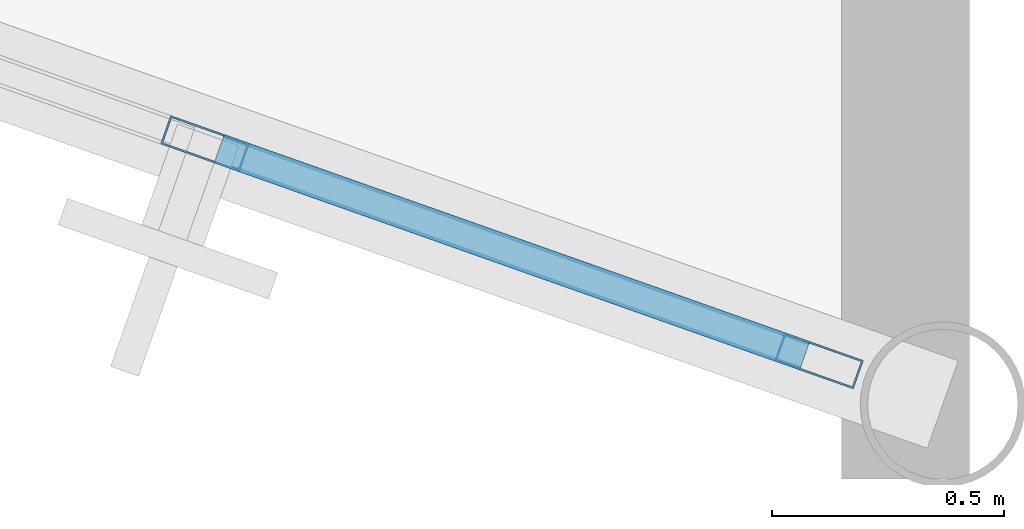
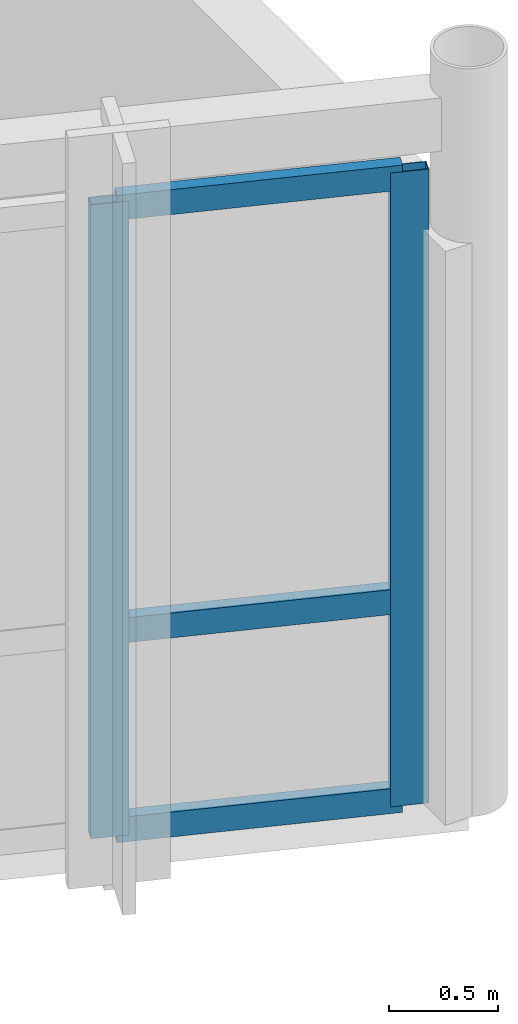
# One storey, part 13 of 32: 5 members, 1 element without a shape of its own.
"""IFC4 building model written with IfcOpenShell, lengths in metres."""

from ifc_helpers import new_model, si_unit, direction, frame, origin, origin_2d, place, context, subcontext, project, spatial, hollow_rectangle, extrude, material, layer, layer_set, material_profile, profile_set, type_object, element, aggregate, save


model = new_model("IFC4")

# Units and contexts
model_context = context("Model", 3, precision=1e-05, world=origin(), true_north=direction((0.0, 1.0)))
body_context = subcontext(model_context, "Body", "Model", "MODEL_VIEW")
ifc_project = project(units=[si_unit("LENGTHUNIT", "METRE"), si_unit("AREAUNIT", "SQUARE_METRE"), si_unit("VOLUMEUNIT", "CUBIC_METRE"), si_unit("PLANEANGLEUNIT", "RADIAN"), si_unit("MASSUNIT", "GRAM", prefix="KILO")], contexts=[model_context])

# Site, building, storey
site_placement = place(None, origin())
site = spatial("IfcSite", under=ifc_project, at=site_placement, CompositionType="ELEMENT")
building_placement = place(site_placement, origin())
building = spatial("IfcBuilding", under=site, at=building_placement, Name="Selat Folded Stagehouse", CompositionType="ELEMENT")
storey_placement = place(building_placement, frame((0.0, 0.0, 19.199951171875)))
storey = spatial("IfcBuildingStorey", under=building, at=storey_placement, Name="L04", CompositionType="ELEMENT", Elevation=19.199951171875)

# Curtain wall, members
ifc_material = material(Name="Aluminium 6063-T6", Category="aluminium")
ifc_layer = layer(ifc_material, 0.18505859375)
ifc_layer_set = layer_set([ifc_layer], Name="Aluminium 6063-T6")
curtain_wall_type = type_object("IfcCurtainWallType", Name="CW-DRM-UPPER", PredefinedType="NOTDEFINED", material=ifc_layer_set)
curtain_wall_placement = place(storey_placement, origin())
curtain_wall = element("IfcCurtainWall", 1, at=curtain_wall_placement, inside=storey, type_object=curtain_wall_type, Name="L04 curtain wall CW-DRM-L04-19", PredefinedType="NOTDEFINED")
ifc_material_profile_1 = material_profile(ifc_material, hollow_rectangle(XDim=0.06494140625, YDim=0.179931640625, WallThickness=0.00390625, at=origin_2d()), Name="ALU 180x65x4.0")
ifc_profile_set_1 = profile_set([ifc_material_profile_1], Name="Aluminium 6063-T6")
member_type_1 = type_object("IfcMemberType", Name="CWM-MUL-180x65", PredefinedType="MULLION", material=ifc_profile_set_1)
member_1_placement = place(storey_placement, frame((33.333740234375, 2.304931640625, 0.0), z_axis=(0.0, 0.0, 1.0), x_axis=(-0.333314148838, -0.942815824106, 0.0)))
member_1 = element("IfcMember", 2, at=member_1_placement, type_object=member_type_1, Name="CW-03 mullion 1", PredefinedType="MULLION", context=body_context, shape_type="SweptSolid", body=[
    extrude(hollow_rectangle(XDim=0.06494140625, YDim=0.179931640625, WallThickness=0.00390625, at=origin_2d()), origin(), (0.0, 0.0, 1.0), 3.56005859375),
])
member_2_placement = place(storey_placement, frame((32.01171875, 2.7724609375, 0.0), z_axis=(0.0, 0.0, 1.0), x_axis=(-0.333314148838, -0.942815824106, 0.0)))
member_2 = element("IfcMember", 3, at=member_2_placement, type_object=member_type_1, Name="CW-03 mullion 2", PredefinedType="MULLION", context=body_context, shape_type="SweptSolid", body=[
    extrude(hollow_rectangle(XDim=0.06494140625, YDim=0.179931640625, WallThickness=0.00390625, at=origin_2d()), origin(), (0.0, 0.0, 1.0), 3.56005859375),
])
ifc_material_profile_2 = material_profile(ifc_material, hollow_rectangle(XDim=0.06494140625, YDim=0.139892578125, WallThickness=0.00390625, at=origin_2d()), Name="ALU 140x65x4.0")
ifc_profile_set_2 = profile_set([ifc_material_profile_2], Name="Aluminium 6063-T6")
member_type_2 = type_object("IfcMemberType", Name="CWM-TRN-140x65", PredefinedType="USERDEFINED", material=ifc_profile_set_2)
member_3_placement = place(storey_placement, frame((33.302978515625, 2.31591796875, 0.032470703125), z_axis=(-0.942831774674, 0.333269027461, 0.0), x_axis=(-0.333269027461, -0.942831774674, 0.0)))
member_3 = element("IfcMember", 4, at=member_3_placement, type_object=member_type_2, Name="CW-03 transom 1.1", ObjectType="TRANSOM", PredefinedType="USERDEFINED", context=body_context, shape_type="SweptSolid", body=[
    extrude(hollow_rectangle(XDim=0.06494140625, YDim=0.139892578125, WallThickness=0.00390625, at=origin_2d()), origin(), (0.0, 0.0, 1.0), 1.3369140625),
])
member_4_placement = place(storey_placement, frame((33.302978515625, 2.31591796875, 1.150146484375), z_axis=(-0.942831774674, 0.333269027461, 0.0), x_axis=(-0.333269027461, -0.942831774674, 0.0)))
member_4 = element("IfcMember", 5, at=member_4_placement, type_object=member_type_2, Name="CW-03 transom 1.2", ObjectType="TRANSOM", PredefinedType="USERDEFINED", context=body_context, shape_type="SweptSolid", body=[
    extrude(hollow_rectangle(XDim=0.06494140625, YDim=0.139892578125, WallThickness=0.00390625, at=origin_2d()), origin(), (0.0, 0.0, 1.0), 1.3369140625),
])
member_5_placement = place(storey_placement, frame((33.302978515625, 2.31591796875, 3.527587890625), z_axis=(-0.942831774674, 0.333269027461, 0.0), x_axis=(-0.333269027461, -0.942831774674, 0.0)))
member_5 = element("IfcMember", 6, at=member_5_placement, type_object=member_type_2, Name="CW-03 transom 1.3", ObjectType="TRANSOM", PredefinedType="USERDEFINED", context=body_context, shape_type="SweptSolid", body=[
    extrude(hollow_rectangle(XDim=0.06494140625, YDim=0.139892578125, WallThickness=0.00390625, at=origin_2d()), origin(), (0.0, 0.0, 1.0), 1.3369140625),
])
aggregate(curtain_wall, [member_1, member_2, member_3, member_4, member_5])

save(model, "model.ifc")
